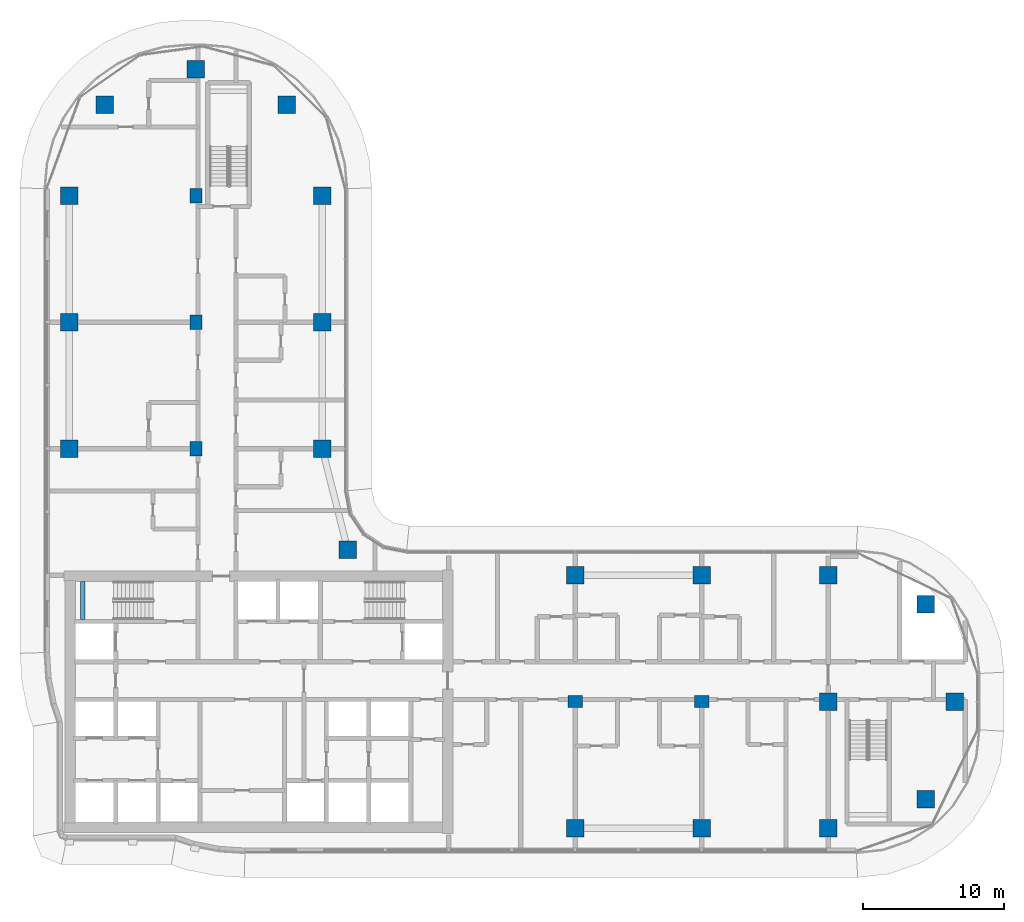
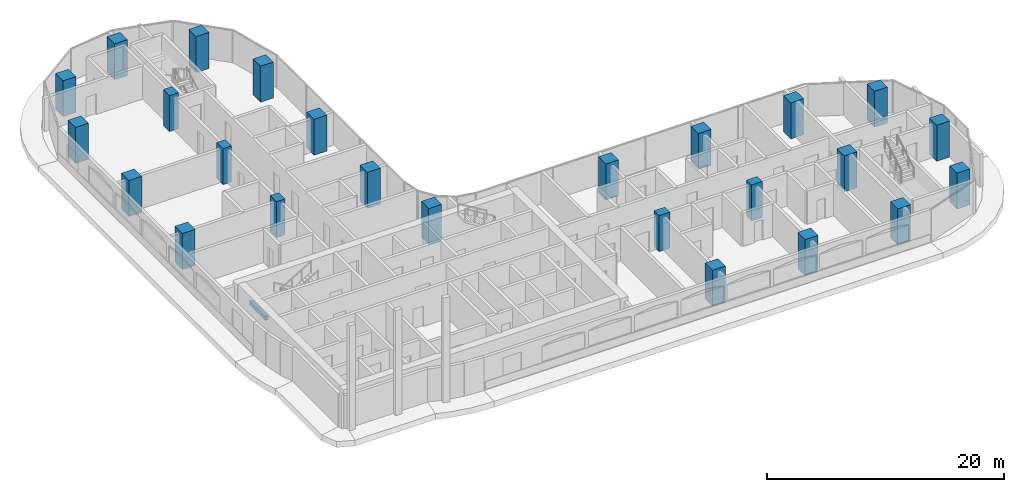
# One storey, part 1 of 25: 25 columns, 1 beam.
"""IFC4 building model written with IfcOpenShell, lengths in metres."""

from ifc_helpers import new_model, si_unit, direction, frame, origin, origin_2d, place, context, subcontext, project, spatial, rectangle, extrude, material, material_profile, profile_set, type_object, element, save


model = new_model("IFC4")

# Units and contexts
model_context = context("Model", 3, precision=1e-05, world=origin(), true_north=direction((0.0, 1.0)))
body_context = subcontext(model_context, "Body", "Model", "MODEL_VIEW")
ifc_project = project(units=[si_unit("LENGTHUNIT", "METRE"), si_unit("AREAUNIT", "SQUARE_METRE"), si_unit("VOLUMEUNIT", "CUBIC_METRE"), si_unit("PLANEANGLEUNIT", "RADIAN"), si_unit("MASSUNIT", "GRAM", prefix="KILO")], contexts=[model_context])

# Site, building, storey
site_placement = place(None, origin())
site = spatial("IfcSite", under=ifc_project, at=site_placement, CompositionType="ELEMENT")
building_placement = place(site_placement, origin())
building = spatial("IfcBuilding", under=site, at=building_placement, Name="Ogive Portal Towers", CompositionType="ELEMENT")
storey_placement = place(building_placement, frame((0.0, 0.0, 124.10009765625)))
storey = spatial("IfcBuildingStorey", under=building, at=storey_placement, Name="L30", CompositionType="ELEMENT", Elevation=124.10009765625)

# Columns
ifc_material_1 = material(Name="Concrete C60/75", Category="concrete")
ifc_material_profile_1 = material_profile(ifc_material_1, rectangle(XDim=1.050048828125, YDim=0.85009765625, at=origin_2d()), Name="RC 1050x850")
ifc_profile_set_1 = profile_set([ifc_material_profile_1], Name="Concrete C60/75")
column_type_1 = type_object("IfcColumnType", Name="COLUMN RC 1050x850", PredefinedType="COLUMN", material=ifc_profile_set_1)
for number, where, z_axis, x_axis, name in (
    (1, (67.5, 30.5, 0.0), (0.0, 0.0, 1.0), (1.0, 0.0, 0.0), "Column 5/B L30"),
    (2, (76.5, 30.5, 0.0), (0.0, 0.0, 1.0), (1.0, 0.0, 0.0), "Column 6/B L30"),
    (3, (40.5, 48.5, 0.0), (0.0, 0.0, 1.0), (0.0, 1.0, 0.0), "Column 2/D L30"),
    (4, (40.5, 57.5, 0.0), (0.0, 0.0, 1.0), (0.0, 1.0, 0.0), "Column 2/E L30"),
    (5, (40.5, 66.5, 0.0), (0.0, 0.0, 1.0), (0.0, 1.0, 0.0), "Column 2/F L30"),
):
    element("IfcColumn", number, at=place(storey_placement, frame(where, z_axis=z_axis, x_axis=x_axis)), inside=storey, type_object=column_type_1, Name=name, PredefinedType="COLUMN", context=body_context, shape_type="SweptSolid", body=[
        extrude(rectangle(XDim=1.050048828125, YDim=0.85009765625, at=origin_2d()), origin(), (0.0, 0.0, 1.0), 3.699951171875),
    ])
ifc_material_profile_2 = material_profile(ifc_material_1, rectangle(XDim=1.25, YDim=1.25, at=origin_2d()), Name="RC 1250x1250")
ifc_profile_set_2 = profile_set([ifc_material_profile_2], Name="Concrete C60/75")
column_type_2 = type_object("IfcColumnType", Name="COLUMN RC 1250x1250", PredefinedType="COLUMN", material=ifc_profile_set_2)
for number, where, z_axis, x_axis, name in (
    (6, (67.5, 21.5, 0.0), (0.0, 0.0, 1.0), (1.0, 0.0, 0.0), "Column 5/A L30"),
    (7, (76.5, 21.5, 0.0), (0.0, 0.0, 1.0), (1.0, 0.0, 0.0), "Column 6/A L30"),
    (8, (85.5, 21.5, 0.0), (0.0, 0.0, 1.0), (1.0, 0.0, 0.0), "Column 7/A L30"),
    (9, (92.449951171875, 23.550048828125, 0.0), (0.0, 0.0, 1.0), (1.0, 0.0, 0.0), "Column L30"),
    (10, (85.5, 30.5, 0.0), (0.0, 0.0, 1.0), (1.0, 0.0, 0.0), "Column 7/B L30"),
    (11, (94.5, 30.5, 0.0), (0.0, 0.0, 1.0), (1.0, 0.0, 0.0), "Column 8/B L30"),
    (12, (92.449951171875, 37.449951171875, 0.0), (0.0, 0.0, 1.0), (1.0, 0.0, 0.0), "Column L30"),
    (13, (67.5, 39.5, 0.0), (0.0, 0.0, 1.0), (1.0, 0.0, 0.0), "Column 5/C L30"),
    (14, (76.5, 39.5, 0.0), (0.0, 0.0, 1.0), (1.0, 0.0, 0.0), "Column 6/C L30"),
    (15, (85.5, 39.5, 0.0), (0.0, 0.0, 1.0), (1.0, 0.0, 0.0), "Column 7/C L30"),
    (16, (51.31005859375, 41.31005859375, 0.0), (0.0, 0.0, 1.0), (1.0, 0.0, 0.0), "Column L30"),
    (17, (31.5, 48.5, 0.0), (0.0, 0.0, 1.0), (1.0, 0.0, 0.0), "Column 1/D L30"),
    (18, (49.5, 48.5, 0.0), (0.0, 0.0, 1.0), (1.0, 0.0, 0.0), "Column 3/D L30"),
    (19, (31.5, 57.5, 0.0), (0.0, 0.0, 1.0), (1.0, 0.0, 0.0), "Column 1/E L30"),
    (20, (49.5, 57.5, 0.0), (0.0, 0.0, 1.0), (1.0, 0.0, 0.0), "Column 3/E L30"),
    (21, (31.5, 66.5, 0.0), (0.0, 0.0, 1.0), (1.0, 0.0, 0.0), "Column 1/F L30"),
    (22, (49.5, 66.5, 0.0), (0.0, 0.0, 1.0), (1.0, 0.0, 0.0), "Column 3/F L30"),
    (23, (34.027099609375, 72.972900390625, 0.0), (0.0, 0.0, 1.0), (1.0, 0.0, 0.0), "Column L30"),
    (24, (46.972900390625, 72.972900390625, 0.0), (0.0, 0.0, 1.0), (1.0, 0.0, 0.0), "Column L30"),
    (25, (40.5, 75.5, 0.0), (0.0, 0.0, 1.0), (1.0, 0.0, 0.0), "Column 2/G L30"),
):
    element("IfcColumn", number, at=place(storey_placement, frame(where, z_axis=z_axis, x_axis=x_axis)), inside=storey, type_object=column_type_2, Name=name, PredefinedType="COLUMN", context=body_context, shape_type="SweptSolid", body=[
        extrude(rectangle(XDim=1.25, YDim=1.25, at=origin_2d()), origin(), (0.0, 0.0, 1.0), 3.699951171875),
    ])

# Beam
ifc_material_2 = material(Name="Concrete C40/50", Category="concrete")
ifc_material_profile_3 = material_profile(ifc_material_2, rectangle(XDim=0.300048828125, YDim=0.39990234375, at=origin_2d()), Name="RC 300x400")
ifc_profile_set_3 = profile_set([ifc_material_profile_3], Name="Concrete C40/50")
beam_type = type_object("IfcBeamType", Name="BEAM RC 300x400", PredefinedType="BEAM", material=ifc_profile_set_3)
beam_placement = place(storey_placement, frame((32.449951171875, 36.35009765625, 1.449951171875), z_axis=(0.0, 1.0, 0.0), x_axis=(-1.0, 0.0, 0.0)))
element("IfcBeam", 26, at=beam_placement, inside=storey, type_object=beam_type, Name="Landing beam L30", PredefinedType="BEAM", context=body_context, shape_type="SweptSolid", body=[
    extrude(rectangle(XDim=0.300048828125, YDim=0.39990234375, at=origin_2d()), origin(), (0.0, 0.0, 1.0), 2.699951171875),
])

save(model, "model.ifc")
